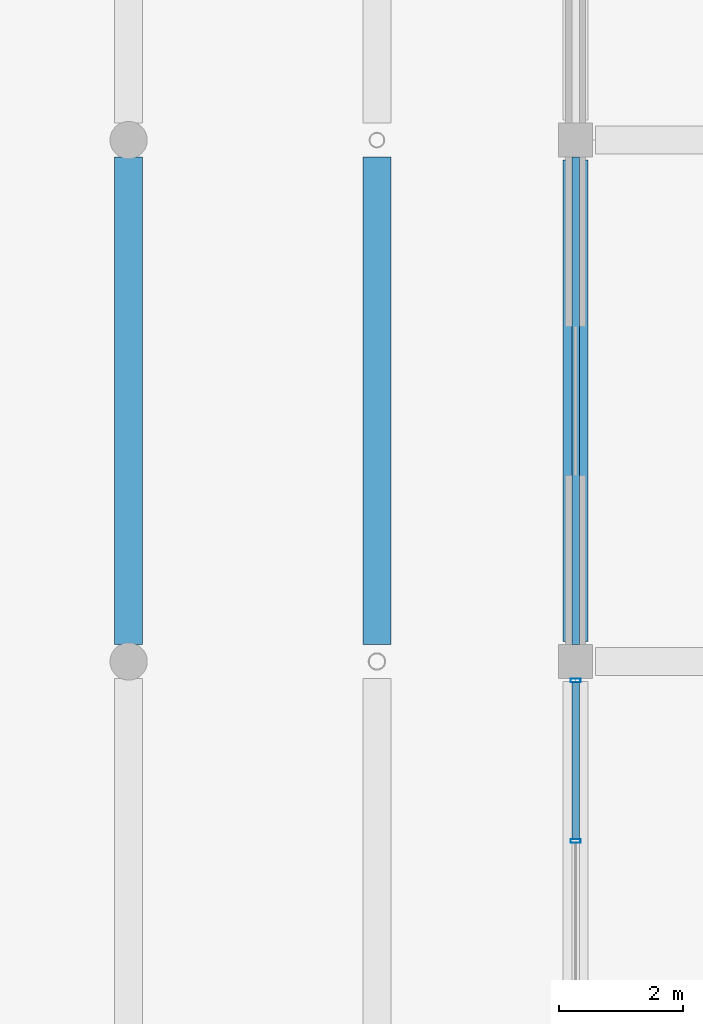
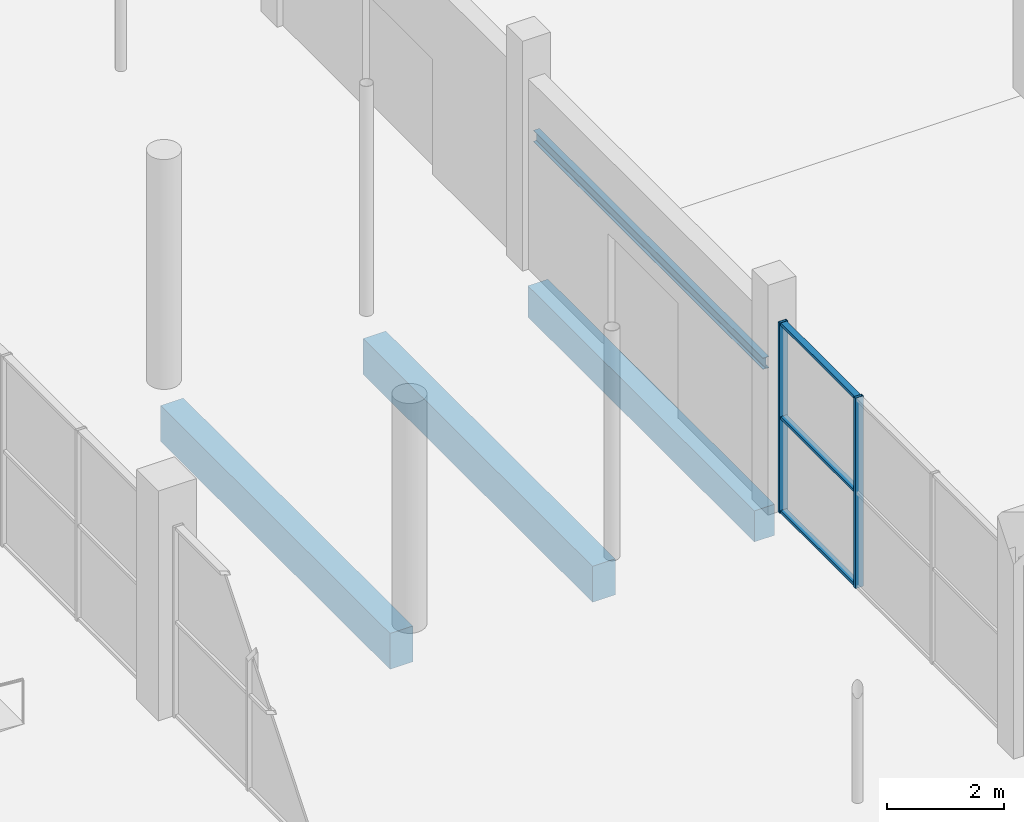
# One storey, part 67 of 130: 5 members, 4 beams, 1 element without a shape of its own.
"""IFC4 building model written with IfcOpenShell, lengths in metres."""

from ifc_helpers import new_model, si_unit, direction, frame, origin, origin_2d, place, context, subcontext, project, spatial, rectangle, hollow_rectangle, i_section, extrude, material, material_profile, profile_set, type_object, element, aggregate, save


model = new_model("IFC4")

# Units and contexts
model_context = context("Model", 3, precision=1e-05, world=origin(), true_north=direction((0.0, 1.0)))
body_context = subcontext(model_context, "Body", "Model", "MODEL_VIEW")
ifc_project = project(units=[si_unit("LENGTHUNIT", "METRE"), si_unit("AREAUNIT", "SQUARE_METRE"), si_unit("VOLUMEUNIT", "CUBIC_METRE"), si_unit("PLANEANGLEUNIT", "RADIAN"), si_unit("MASSUNIT", "GRAM", prefix="KILO"), si_unit("THERMODYNAMICTEMPERATUREUNIT", "KELVIN")], contexts=[model_context])

# Site, building, storey
site_placement = place(None, origin())
site = spatial("IfcSite", under=ifc_project, at=site_placement, CompositionType="ELEMENT")
building_placement = place(site_placement, origin())
building = spatial("IfcBuilding", under=site, at=building_placement, Name="Nduvali Passage Aquatics Centre", CompositionType="ELEMENT")
storey_placement = place(building_placement, origin())
storey = spatial("IfcBuildingStorey", under=building, at=storey_placement, Name="L00", CompositionType="ELEMENT", Elevation=0.0)

# Curtain wall, members
ifc_material_1 = material(Name="Aluminium EN AW-6063 T6", Category="aluminium")
curtain_wall_type = type_object("IfcCurtainWallType", Name="ENV-CW-FOYR", PredefinedType="NOTDEFINED", material=ifc_material_1)
curtain_wall_placement = place(storey_placement, origin())
curtain_wall = element("IfcCurtainWall", 1, at=curtain_wall_placement, inside=storey, type_object=curtain_wall_type, Name="L00 Passage Foyer Ground CW 071", PredefinedType="NOTDEFINED")
ifc_material_profile_1 = material_profile(ifc_material_1, hollow_rectangle(XDim=0.06005859375, YDim=0.159912109375, WallThickness=0.00390625, at=origin_2d()), Name="ALU MULLION 60x160x4")
ifc_profile_set_1 = profile_set([ifc_material_profile_1], Name="Aluminium EN AW-6063 T6")
member_type_1 = type_object("IfcMemberType", Name="ENV-MEM-MUL60", PredefinedType="MULLION", material=ifc_profile_set_1)
member_1_placement = place(storey_placement, frame((138.0, 47.50830078125, 0.0), z_axis=(0.0, 0.0, 1.0), x_axis=(0.0, 1.0, 0.0)))
member_1 = element("IfcMember", 2, at=member_1_placement, type_object=member_type_1, Name="Passage Foyer Ground CW Mullion 3", PredefinedType="MULLION", context=body_context, shape_type="SweptSolid", body=[
    extrude(hollow_rectangle(XDim=0.06005859375, YDim=0.159912109375, WallThickness=0.00390625, at=origin_2d()), origin(), (0.0, 0.0, 1.0), 3.976318359375),
])
member_2_placement = place(storey_placement, frame((138.0, 50.094970703125, 0.0), z_axis=(0.0, 0.0, 1.0), x_axis=(0.0, 1.0, 0.0)))
member_2 = element("IfcMember", 3, at=member_2_placement, type_object=member_type_1, Name="Passage Foyer Ground CW Mullion 4", PredefinedType="MULLION", context=body_context, shape_type="SweptSolid", body=[
    extrude(hollow_rectangle(XDim=0.06005859375, YDim=0.159912109375, WallThickness=0.00390625, at=origin_2d()), origin(), (0.0, 0.0, 1.0), 3.976318359375),
])
ifc_material_profile_2 = material_profile(ifc_material_1, hollow_rectangle(XDim=0.1201171875, YDim=0.06005859375, WallThickness=0.00390625, at=origin_2d()), Name="ALU TRANSOM 120x60x4")
ifc_profile_set_2 = profile_set([ifc_material_profile_2], Name="Aluminium EN AW-6063 T6")
member_type_2 = type_object("IfcMemberType", Name="ENV-MEM-TRN60", PredefinedType="USERDEFINED", material=ifc_profile_set_2)
member_3_placement = place(storey_placement, frame((138.0, 47.538330078125, 0.030029296875), z_axis=(0.0, 1.0, 0.0), x_axis=(-1.0, 0.0, 0.0)))
member_3 = element("IfcMember", 4, at=member_3_placement, type_object=member_type_2, Name="Passage Foyer Ground CW Transom B3-R0", ObjectType="TRANSOM", PredefinedType="USERDEFINED", context=body_context, shape_type="SweptSolid", body=[
    extrude(hollow_rectangle(XDim=0.1201171875, YDim=0.06005859375, WallThickness=0.00390625, at=origin_2d()), origin(), (0.0, 0.0, 1.0), 2.526611328125),
])
member_4_placement = place(storey_placement, frame((138.0, 47.538330078125, 1.98828125), z_axis=(0.0, 1.0, 0.0), x_axis=(-1.0, 0.0, 0.0)))
member_4 = element("IfcMember", 5, at=member_4_placement, type_object=member_type_2, Name="Passage Foyer Ground CW Transom B3-R1", ObjectType="TRANSOM", PredefinedType="USERDEFINED", context=body_context, shape_type="SweptSolid", body=[
    extrude(hollow_rectangle(XDim=0.1201171875, YDim=0.06005859375, WallThickness=0.00390625, at=origin_2d()), origin(), (0.0, 0.0, 1.0), 2.526611328125),
])
member_5_placement = place(storey_placement, frame((138.0, 47.538330078125, 3.9462890625), z_axis=(0.0, 1.0, 0.0), x_axis=(-1.0, 0.0, 0.0)))
member_5 = element("IfcMember", 6, at=member_5_placement, type_object=member_type_2, Name="Passage Foyer Ground CW Transom B3-R2", ObjectType="TRANSOM", PredefinedType="USERDEFINED", context=body_context, shape_type="SweptSolid", body=[
    extrude(hollow_rectangle(XDim=0.1201171875, YDim=0.06005859375, WallThickness=0.00390625, at=origin_2d()), origin(), (0.0, 0.0, 1.0), 2.526611328125),
])
aggregate(curtain_wall, [member_1, member_2, member_3, member_4, member_5])

# Beams
ifc_material_2 = material(Name="Concrete C40/50", Category="concrete")
ifc_material_profile_3 = material_profile(ifc_material_2, rectangle(XDim=0.449951171875, YDim=0.75, at=origin_2d()), Name="RC 450x750")
ifc_profile_set_3 = profile_set([ifc_material_profile_3], Name="Concrete C40/50")
beam_type_1 = type_object("IfcBeamType", Name="STR-BM-RC4575", PredefinedType="BEAM", material=ifc_profile_set_3)
for number, where, z_axis, x_axis, name in (
    (7, (130.800048828125, 50.675048828125, -0.675048828125), (0.0, 1.0, 0.0), (-1.0, 0.0, 0.0), "L00 Primary Y-Girder B3-0207"),
    (8, (134.800048828125, 50.675048828125, -0.675048828125), (0.0, 1.0, 0.0), (-1.0, 0.0, 0.0), "L00 Primary Y-Girder B3-0218"),
):
    element("IfcBeam", number, at=place(storey_placement, frame(where, z_axis=z_axis, x_axis=x_axis)), inside=storey, type_object=beam_type_1, Name=name, PredefinedType="BEAM", context=body_context, shape_type="SweptSolid", body=[
        extrude(rectangle(XDim=0.449951171875, YDim=0.75, at=origin_2d()), origin(), (0.0, 0.0, 1.0), 7.849853515625),
    ])
ifc_material_3 = material(Name="Steel S355", Category="steel")
ifc_material_profile_4 = material_profile(ifc_material_3, i_section(OverallWidth=0.1201171875, OverallDepth=0.239990234375, WebThickness=0.006103515625, FlangeThickness=0.009765625, FilletRadius=0.014892578125, at=origin_2d()), Name="IPE 240")
ifc_profile_set_4 = profile_set([ifc_material_profile_4], Name="Steel S355")
beam_type_2 = type_object("IfcBeamType", Name="STR-LNT-IPE240-EXT", PredefinedType="LINTEL", material=ifc_profile_set_4)
beam_1_placement = place(storey_placement, frame((138.0, 50.675048828125, 2.75), z_axis=(0.0, 1.0, 0.0), x_axis=(-1.0, 0.0, 0.0)))
element("IfcBeam", 9, at=beam_1_placement, inside=storey, type_object=beam_type_2, Name="Monsoon Passage Foyer Portal Lintel 1", PredefinedType="LINTEL", context=body_context, shape_type="SweptSolid", body=[
    extrude(i_section(OverallWidth=0.1201171875, OverallDepth=0.239990234375, WebThickness=0.006103515625, FlangeThickness=0.009765625, FilletRadius=0.014892578125, at=origin_2d()), origin(), (0.0, 0.0, 1.0), 7.849853515625),
])
ifc_material_profile_5 = material_profile(ifc_material_2, rectangle(XDim=0.39990234375, YDim=0.64990234375, at=origin_2d()), Name="RC 400x650")
ifc_profile_set_5 = profile_set([ifc_material_profile_5], Name="Concrete C40/50")
beam_type_3 = type_object("IfcBeamType", Name="STR-SPN-RC4065-EXT", PredefinedType="SPANDREL", material=ifc_profile_set_5)
beam_2_placement = place(storey_placement, frame((138.0, 50.72509765625, -0.625), z_axis=(0.0, 1.0, 0.0), x_axis=(-1.0, 0.0, 0.0)))
element("IfcBeam", 10, at=beam_2_placement, inside=storey, type_object=beam_type_3, Name="L00 Primary Y-Girder SP1E-0226", PredefinedType="SPANDREL", context=body_context, shape_type="SweptSolid", body=[
    extrude(rectangle(XDim=0.39990234375, YDim=0.64990234375, at=origin_2d()), origin(), (0.0, 0.0, 1.0), 7.75),
])

save(model, "model.ifc")
